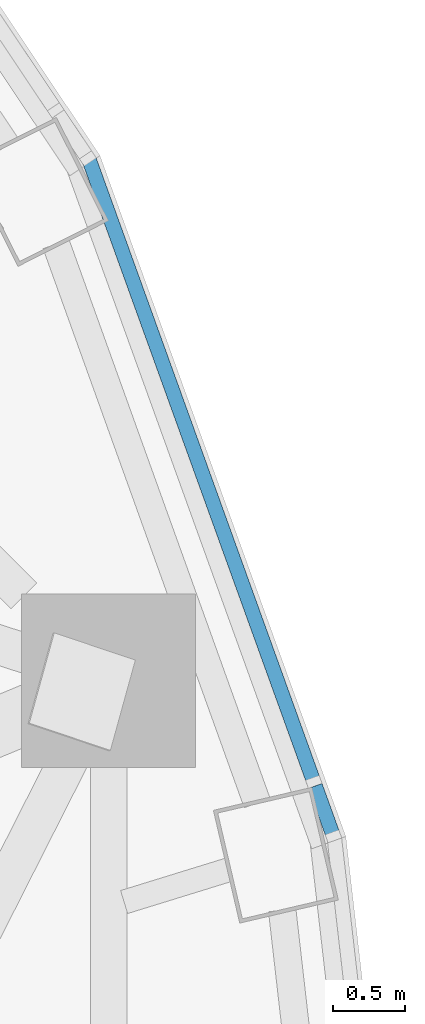
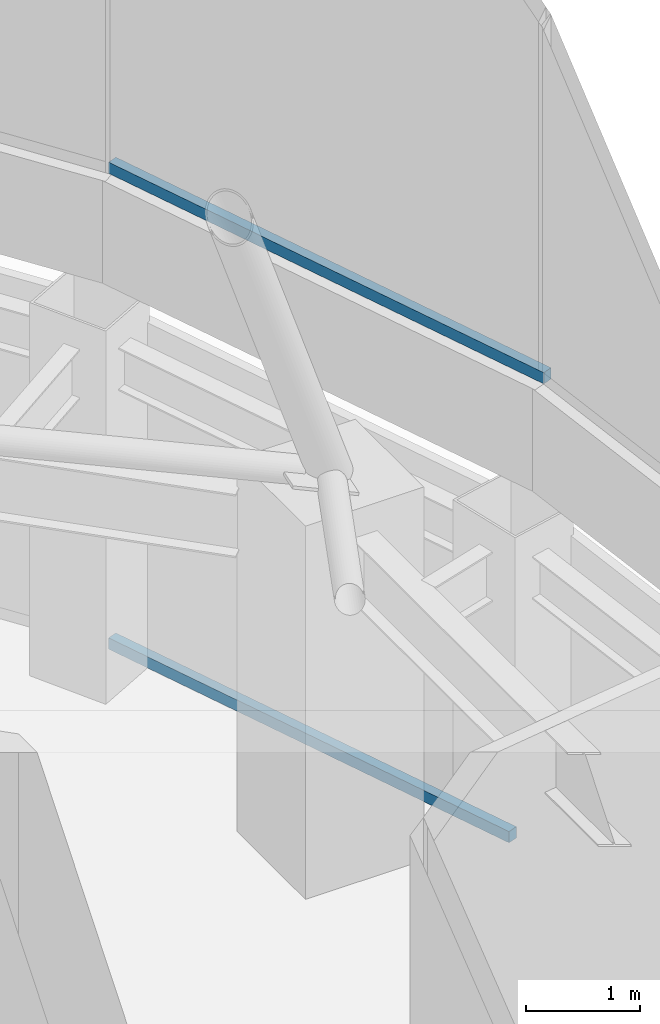
# One storey, part 17 of 25: 2 members, 2 elements without a shape of their own.
"""IFC4 building model written with IfcOpenShell, lengths in metres."""

from ifc_helpers import new_model, si_unit, direction, frame, origin, origin_2d, place, context, subcontext, project, spatial, rectangle, extrude, material, layer, layer_set, material_profile, profile_set, type_object, element, aggregate, save


model = new_model("IFC4")

# Units and contexts
model_context = context("Model", 3, precision=1e-05, world=origin(), true_north=direction((0.0, 1.0)))
body_context = subcontext(model_context, "Body", "Model", "MODEL_VIEW")
ifc_project = project(units=[si_unit("LENGTHUNIT", "METRE"), si_unit("AREAUNIT", "SQUARE_METRE"), si_unit("VOLUMEUNIT", "CUBIC_METRE"), si_unit("PLANEANGLEUNIT", "RADIAN"), si_unit("MASSUNIT", "GRAM", prefix="KILO")], contexts=[model_context])

# Site, building, storey
site_placement = place(None, origin())
site = spatial("IfcSite", under=ifc_project, at=site_placement, CompositionType="ELEMENT")
building_placement = place(site_placement, origin())
building = spatial("IfcBuilding", under=site, at=building_placement, Name="Nagisa Residences", CompositionType="ELEMENT")
storey_placement = place(building_placement, frame((0.0, 0.0, 340.89990234375)))
storey = spatial("IfcBuildingStorey", under=building, at=storey_placement, Name="L84", CompositionType="ELEMENT", Elevation=340.89990234375)

# Curtain wall, member
ifc_material_1 = material(Name="Aluminium curtain wall system", Category="aluminium")
ifc_layer = layer(ifc_material_1, 0.159912109375)
ifc_layer_set = layer_set([ifc_layer], Name="CW5 CURTAIN WALL")
curtain_wall_type = type_object("IfcCurtainWallType", Name="CW5 CURTAIN WALL", PredefinedType="NOTDEFINED", material=ifc_layer_set)
curtain_wall_1_placement = place(storey_placement, origin())
curtain_wall_1 = element("IfcCurtainWall", 1, at=curtain_wall_1_placement, inside=storey, type_object=curtain_wall_type, Name="cw:CW5:L84:01", PredefinedType="NOTDEFINED")
ifc_material_2 = material(Name="Aluminium", Category="aluminium")
ifc_material_profile = material_profile(ifc_material_2, rectangle(XDim=0.10009765625, YDim=0.1201171875, at=origin_2d()), Name="CW5 TRANSOM 100x120")
ifc_profile_set = profile_set([ifc_material_profile], Name="Aluminium")
member_type = type_object("IfcMemberType", Name="CW5 TRANSOM 100x120", PredefinedType="USERDEFINED", material=ifc_profile_set)
member_1_placement = place(storey_placement, frame((16.209716796875, 5.39599609375, 0.06005859375), z_axis=(-0.339645767878, 0.940553428766, 0.0), x_axis=(-0.940553428766, -0.339645767878, 0.0)))
member_1 = element("IfcMember", 2, at=member_1_placement, type_object=member_type, Name="CW5 transom", ObjectType="TRANSOM", PredefinedType="USERDEFINED", context=body_context, shape_type="SweptSolid", body=[
    extrude(rectangle(XDim=0.10009765625, YDim=0.1201171875, at=origin_2d()), origin(), (0.0, 0.0, 1.0), 4.600341796875),
])
aggregate(curtain_wall_1, [member_1])

curtain_wall_2_placement = place(storey_placement, origin())
curtain_wall_2 = element("IfcCurtainWall", 3, at=curtain_wall_2_placement, inside=storey, type_object=curtain_wall_type, Name="cw:CW5:L84:top0:01", PredefinedType="NOTDEFINED")
member_2_placement = place(storey_placement, frame((16.345458984375, 5.019775390625, 5.16015625), z_axis=(-0.339625267064, 0.940560831617, 0.0), x_axis=(-0.940560831617, -0.339625267064, 0.0)))
member_2 = element("IfcMember", 4, at=member_2_placement, type_object=member_type, Name="CW5 transom", ObjectType="TRANSOM", PredefinedType="USERDEFINED", context=body_context, shape_type="SweptSolid", body=[
    extrude(rectangle(XDim=0.10009765625, YDim=0.1201171875, at=origin_2d()), origin(), (0.0, 0.0, 1.0), 5.000244140625),
])
aggregate(curtain_wall_2, [member_2])

save(model, "model.ifc")
